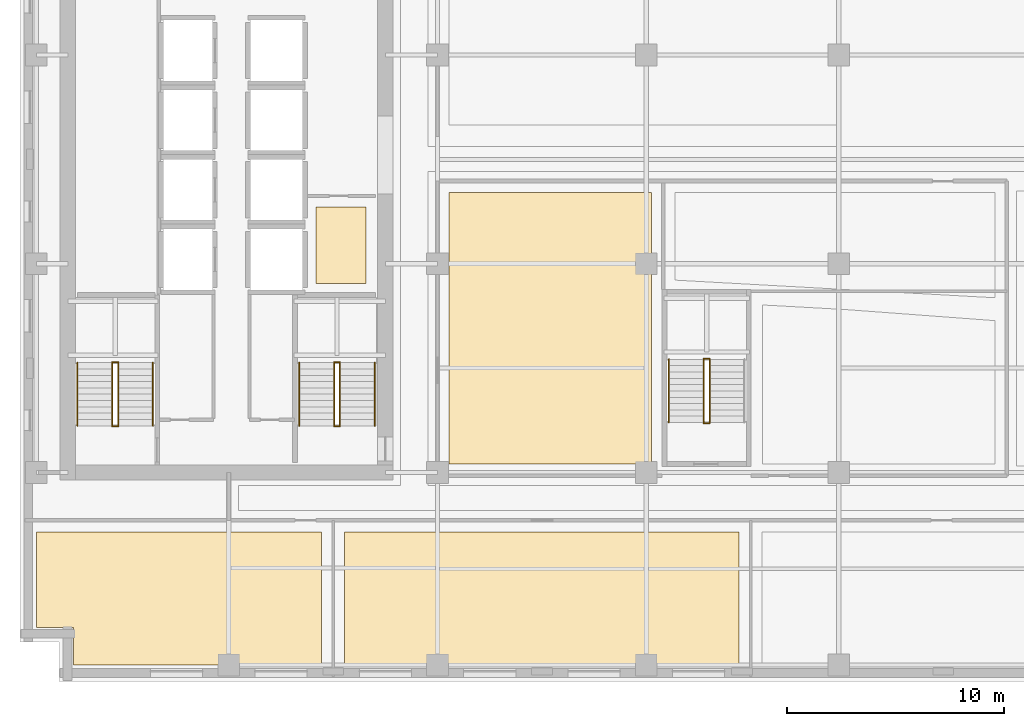
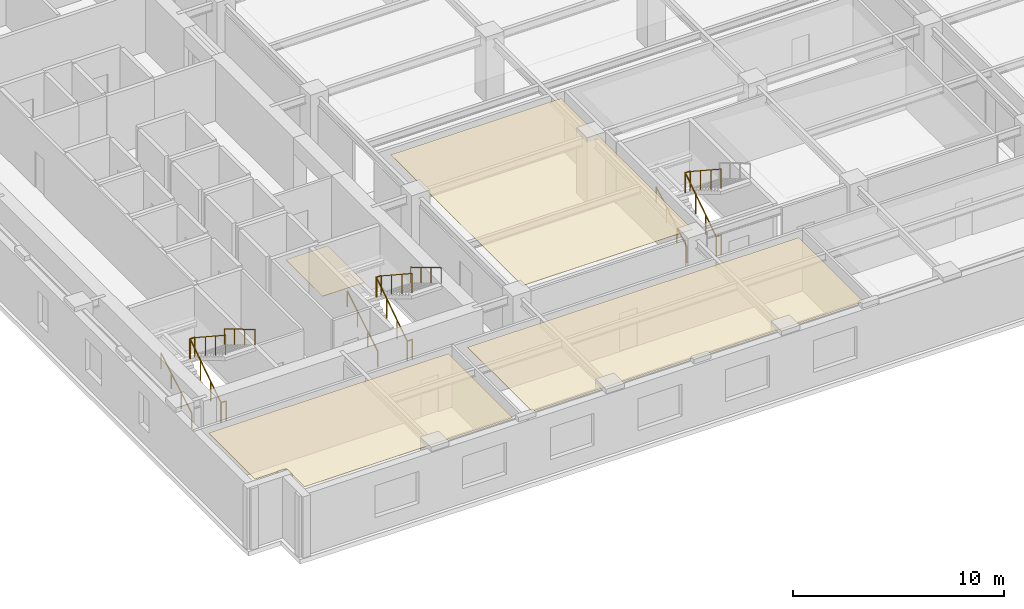
# One storey, part 8 of 12: 17 railings, 4 coverings.
"""IFC4 building model written with IfcOpenShell, lengths in metres."""

from ifc_helpers import new_model, si_unit, direction, frame, origin, origin_2d, place, context, subcontext, project, spatial, polyline, circle, outline, extrude, material, layer, layer_set, type_object, element, save


model = new_model("IFC4")

# Units and contexts
model_context = context("Model", 3, precision=1e-05, world=origin(), true_north=direction((0.0, 1.0)))
body_context = subcontext(model_context, "Body", "Model", "MODEL_VIEW")
ifc_project = project(units=[si_unit("LENGTHUNIT", "METRE"), si_unit("AREAUNIT", "SQUARE_METRE"), si_unit("VOLUMEUNIT", "CUBIC_METRE"), si_unit("PLANEANGLEUNIT", "RADIAN"), si_unit("MASSUNIT", "GRAM", prefix="KILO")], contexts=[model_context])

# Site, building, storey
site_placement = place(None, origin())
site = spatial("IfcSite", under=ifc_project, at=site_placement, CompositionType="ELEMENT")
building_placement = place(site_placement, origin())
building = spatial("IfcBuilding", under=site, at=building_placement, Name="Norrvale University Quadrangle", CompositionType="ELEMENT")
storey_placement = place(building_placement, frame((0.0, 0.0, 143.199951171875)))
storey = spatial("IfcBuildingStorey", under=building, at=storey_placement, Name="L36", CompositionType="ELEMENT", Elevation=143.199951171875)

# Coverings
ifc_material_1 = material(Name="Perforated Acoustic Mineral Ceiling")
ifc_layer_1 = layer(ifc_material_1, 0.02490234375, Name="Perforated Acoustic Mineral Ceiling")
ifc_layer_set_1 = layer_set([ifc_layer_1], Name="Perforated Acoustic Mineral Ceiling")
covering_type_1 = type_object("IfcCoveringType", Name="Covering Acoustic Ceiling 25", PredefinedType="CEILING", material=ifc_layer_set_1)
covering_1_placement = place(storey_placement, frame((0.0, 0.0, 3.51513671875)))
element("IfcCovering", 1, at=covering_1_placement, inside=storey, type_object=covering_type_1, Name="Acoustic Ceiling RM-L36-S01", PredefinedType="CEILING", context=body_context, shape_type="SweptSolid", body=[
    extrude(outline(polyline([(0.75, 6.8701171875), (13.8701171875, 6.8701171875), (13.8701171875, 0.75), (2.469970703125, 0.75), (2.469970703125, 2.469970703125), (0.75, 2.469970703125), (0.75, 6.8701171875)])), origin(), (0.0, 0.0, 1.0), 0.02490234375),
])
covering_2_placement = place(storey_placement, frame((0.0, 0.0, 3.51513671875)))
element("IfcCovering", 2, at=covering_2_placement, inside=storey, type_object=covering_type_1, Name="Acoustic Ceiling RM-L36-S02", PredefinedType="CEILING", context=body_context, shape_type="SweptSolid", body=[
    extrude(outline(polyline([(14.929931640625, 6.8701171875), (33.070068359375, 6.8701171875), (33.070068359375, 0.75), (14.929931640625, 0.75), (14.929931640625, 6.8701171875)])), origin(), (0.0, 0.0, 1.0), 0.02490234375),
])
covering_3_placement = place(storey_placement, frame((0.0, 0.0, 3.51513671875)))
element("IfcCovering", 3, at=covering_3_placement, inside=storey, type_object=covering_type_1, Name="Acoustic Ceiling RM-L36-IW1", PredefinedType="CEILING", context=body_context, shape_type="SweptSolid", body=[
    extrude(outline(polyline([(19.72998046875, 9.97998046875), (19.72998046875, 22.469970703125), (29.050048828125, 22.469970703125), (29.050048828125, 9.97998046875), (19.72998046875, 9.97998046875)])), origin(), (0.0, 0.0, 1.0), 0.02490234375),
])
ifc_material_2 = material(Name="Polished Terrazzo Flooring")
ifc_layer_2 = layer(ifc_material_2, 0.02490234375, Name="Polished Terrazzo Flooring")
ifc_layer_set_2 = layer_set([ifc_layer_2], Name="Polished Terrazzo Flooring")
covering_type_2 = type_object("IfcCoveringType", Name="Covering Terrazzo Floor 30", PredefinedType="FLOORING", material=ifc_layer_set_2)
covering_4_placement = place(storey_placement, origin())
element("IfcCovering", 4, at=covering_4_placement, inside=storey, type_object=covering_type_2, Name="Terrazzo Flooring RM-L36-JAN", PredefinedType="FLOORING", context=body_context, shape_type="SweptSolid", body=[
    extrude(outline(polyline([(13.60009765625, 18.300048828125), (13.60009765625, 21.800048828125), (15.89990234375, 21.800048828125), (15.89990234375, 18.300048828125), (13.60009765625, 18.300048828125)])), origin(), (0.0, 0.0, 1.0), 0.025146484375),
])

# Railings
ifc_material_3 = material(Name="Steel 350W Painted Balustrade", Category="steel")
railing_type_1 = type_object("IfcRailingType", Name="Railing Stair Guard 1100", PredefinedType="GUARDRAIL", material=ifc_material_3)
for number, where, name in (
    (5, (4.239990234375, 11.719970703125, 0.0), "Stair Floor Well Guard ST-01 L36"),
    (6, (4.239990234375, 14.679931640625, 1.900146484375), "Stair Mid-Landing Slot Guard ST-01 L36"),
):
    element("IfcRailing", number, at=place(storey_placement, frame(where)), inside=storey, type_object=railing_type_1, Name=name, PredefinedType="GUARDRAIL", context=body_context, shape_type="SweptSolid", body=[
        extrude(circle(Radius=0.02392578125, at=origin_2d()), frame((0.0, 0.0, 1.1259765625), z_axis=(1.0, 0.0, 0.0), x_axis=(0.0, 1.0, 0.0)), (0.0, 0.0, 1.0), 0.27001953125),
        extrude(circle(Radius=0.02099609375, at=origin_2d()), origin(), (0.0, 0.0, 1.0), 1.101806640625),
        extrude(circle(Radius=0.02099609375, at=origin_2d()), frame((0.27001953125, 0.0, 0.0)), (0.0, 0.0, 1.0), 1.101806640625),
    ])
railing_1_placement = place(storey_placement, frame((4.239990234375, 11.75, 0.0)))
element("IfcRailing", 7, at=railing_1_placement, inside=storey, type_object=railing_type_1, Name="Stair Lower Flight Inner Guard ST-01 L36", PredefinedType="GUARDRAIL", context=body_context, shape_type="SweptSolid", body=[
    extrude(circle(Radius=0.02392578125, at=origin_2d()), frame((0.0, 0.0, 1.1259765625), z_axis=(0.0, 0.836433300813, 0.548068730445), x_axis=(-1.0, 0.0, 0.0)), (0.0, 0.0, 1.0), 3.467041015625),
    extrude(circle(Radius=0.02099609375, at=origin_2d()), origin(), (0.0, 0.0, 1.0), 1.101806640625),
    extrude(circle(Radius=0.02099609375, at=origin_2d()), frame((0.0, 0.966552734375, 0.63330078125)), (0.0, 0.0, 1.0), 1.101806640625),
    extrude(circle(Radius=0.02099609375, at=origin_2d()), frame((0.0, 1.933349609375, 1.266845703125)), (0.0, 0.0, 1.0), 1.101806640625),
    extrude(circle(Radius=0.02099609375, at=origin_2d()), frame((0.0, 2.89990234375, 1.900146484375)), (0.0, 0.0, 1.0), 1.101806640625),
])
railing_2_placement = place(storey_placement, frame((4.510009765625, 14.64990234375, 1.900146484375)))
element("IfcRailing", 8, at=railing_2_placement, inside=storey, type_object=railing_type_1, Name="Stair Upper Flight Inner Guard ST-01 L36", PredefinedType="GUARDRAIL", context=body_context, shape_type="SweptSolid", body=[
    extrude(circle(Radius=0.02392578125, at=origin_2d()), frame((0.0, 0.0, 1.1259765625), z_axis=(0.0, -0.836465582154, 0.548019461216), x_axis=(1.0, 0.0, 0.0)), (0.0, 0.0, 1.0), 3.466796875),
    extrude(circle(Radius=0.02099609375, at=origin_2d()), origin(), (0.0, 0.0, 1.0), 1.101806640625),
    extrude(circle(Radius=0.02099609375, at=origin_2d()), frame((0.0, -0.966552734375, 0.63330078125)), (0.0, 0.0, 1.0), 1.101806640625),
    extrude(circle(Radius=0.02099609375, at=origin_2d()), frame((0.0, -1.933349609375, 1.2666015625)), (0.0, 0.0, 1.0), 1.101806640625),
    extrude(circle(Radius=0.02099609375, at=origin_2d()), frame((0.0, -2.89990234375, 1.89990234375)), (0.0, 0.0, 1.0), 1.101806640625),
])
for number, where, name in (
    (9, (14.43994140625, 11.719970703125, 0.0), "Stair Floor Well Guard ST-03 L36"),
    (10, (14.43994140625, 14.679931640625, 1.900146484375), "Stair Mid-Landing Slot Guard ST-03 L36"),
):
    element("IfcRailing", number, at=place(storey_placement, frame(where)), inside=storey, type_object=railing_type_1, Name=name, PredefinedType="GUARDRAIL", context=body_context, shape_type="SweptSolid", body=[
        extrude(circle(Radius=0.02392578125, at=origin_2d()), frame((0.0, 0.0, 1.1259765625), z_axis=(1.0, 0.0, 0.0), x_axis=(0.0, 1.0, 0.0)), (0.0, 0.0, 1.0), 0.27001953125),
        extrude(circle(Radius=0.02099609375, at=origin_2d()), origin(), (0.0, 0.0, 1.0), 1.101806640625),
        extrude(circle(Radius=0.02099609375, at=origin_2d()), frame((0.27001953125, 0.0, 0.0)), (0.0, 0.0, 1.0), 1.101806640625),
    ])
railing_3_placement = place(storey_placement, frame((14.43994140625, 11.75, 0.0)))
element("IfcRailing", 11, at=railing_3_placement, inside=storey, type_object=railing_type_1, Name="Stair Lower Flight Inner Guard ST-03 L36", PredefinedType="GUARDRAIL", context=body_context, shape_type="SweptSolid", body=[
    extrude(circle(Radius=0.02392578125, at=origin_2d()), frame((0.0, 0.0, 1.1259765625), z_axis=(0.0, 0.836433300813, 0.548068730445), x_axis=(-1.0, 0.0, 0.0)), (0.0, 0.0, 1.0), 3.467041015625),
    extrude(circle(Radius=0.02099609375, at=origin_2d()), origin(), (0.0, 0.0, 1.0), 1.101806640625),
    extrude(circle(Radius=0.02099609375, at=origin_2d()), frame((0.0, 0.966552734375, 0.63330078125)), (0.0, 0.0, 1.0), 1.101806640625),
    extrude(circle(Radius=0.02099609375, at=origin_2d()), frame((0.0, 1.933349609375, 1.266845703125)), (0.0, 0.0, 1.0), 1.101806640625),
    extrude(circle(Radius=0.02099609375, at=origin_2d()), frame((0.0, 2.89990234375, 1.900146484375)), (0.0, 0.0, 1.0), 1.101806640625),
])
railing_4_placement = place(storey_placement, frame((14.7099609375, 14.64990234375, 1.900146484375)))
element("IfcRailing", 12, at=railing_4_placement, inside=storey, type_object=railing_type_1, Name="Stair Upper Flight Inner Guard ST-03 L36", PredefinedType="GUARDRAIL", context=body_context, shape_type="SweptSolid", body=[
    extrude(circle(Radius=0.02392578125, at=origin_2d()), frame((0.0, 0.0, 1.1259765625), z_axis=(0.0, -0.836465582154, 0.548019461216), x_axis=(1.0, 0.0, 0.0)), (0.0, 0.0, 1.0), 3.466796875),
    extrude(circle(Radius=0.02099609375, at=origin_2d()), origin(), (0.0, 0.0, 1.0), 1.101806640625),
    extrude(circle(Radius=0.02099609375, at=origin_2d()), frame((0.0, -0.966552734375, 0.63330078125)), (0.0, 0.0, 1.0), 1.101806640625),
    extrude(circle(Radius=0.02099609375, at=origin_2d()), frame((0.0, -1.933349609375, 1.2666015625)), (0.0, 0.0, 1.0), 1.101806640625),
    extrude(circle(Radius=0.02099609375, at=origin_2d()), frame((0.0, -2.89990234375, 1.89990234375)), (0.0, 0.0, 1.0), 1.101806640625),
])
for number, where, name in (
    (13, (31.43994140625, 11.8701171875, 0.0), "Stair Floor Well Guard ST-04 L36"),
    (14, (31.43994140625, 14.830078125, 1.900146484375), "Stair Mid-Landing Slot Guard ST-04 L36"),
):
    element("IfcRailing", number, at=place(storey_placement, frame(where)), inside=storey, type_object=railing_type_1, Name=name, PredefinedType="GUARDRAIL", context=body_context, shape_type="SweptSolid", body=[
        extrude(circle(Radius=0.02392578125, at=origin_2d()), frame((0.0, 0.0, 1.1259765625), z_axis=(1.0, 0.0, 0.0), x_axis=(0.0, 1.0, 0.0)), (0.0, 0.0, 1.0), 0.27001953125),
        extrude(circle(Radius=0.02099609375, at=origin_2d()), origin(), (0.0, 0.0, 1.0), 1.101806640625),
        extrude(circle(Radius=0.02099609375, at=origin_2d()), frame((0.27001953125, 0.0, 0.0)), (0.0, 0.0, 1.0), 1.101806640625),
    ])
railing_5_placement = place(storey_placement, frame((31.43994140625, 11.89990234375, 0.0)))
element("IfcRailing", 15, at=railing_5_placement, inside=storey, type_object=railing_type_1, Name="Stair Lower Flight Inner Guard ST-04 L36", PredefinedType="GUARDRAIL", context=body_context, shape_type="SweptSolid", body=[
    extrude(circle(Radius=0.02392578125, at=origin_2d()), frame((0.0, 0.0, 1.1259765625), z_axis=(0.0, 0.836454451266, 0.548036450392), x_axis=(-1.0, 0.0, 0.0)), (0.0, 0.0, 1.0), 3.46728515625),
    extrude(circle(Radius=0.02099609375, at=origin_2d()), origin(), (0.0, 0.0, 1.0), 1.101806640625),
    extrude(circle(Radius=0.02099609375, at=origin_2d()), frame((0.0, 0.966796875, 0.63330078125)), (0.0, 0.0, 1.0), 1.101806640625),
    extrude(circle(Radius=0.02099609375, at=origin_2d()), frame((0.0, 1.933349609375, 1.266845703125)), (0.0, 0.0, 1.0), 1.101806640625),
    extrude(circle(Radius=0.02099609375, at=origin_2d()), frame((0.0, 2.900146484375, 1.900146484375)), (0.0, 0.0, 1.0), 1.101806640625),
])
railing_6_placement = place(storey_placement, frame((31.7099609375, 14.800048828125, 1.900146484375)))
element("IfcRailing", 16, at=railing_6_placement, inside=storey, type_object=railing_type_1, Name="Stair Upper Flight Inner Guard ST-04 L36", PredefinedType="GUARDRAIL", context=body_context, shape_type="SweptSolid", body=[
    extrude(circle(Radius=0.02392578125, at=origin_2d()), frame((0.0, 0.0, 1.1259765625), z_axis=(0.0, -0.836486729621, 0.547987181573), x_axis=(1.0, 0.0, 0.0)), (0.0, 0.0, 1.0), 3.467041015625),
    extrude(circle(Radius=0.02099609375, at=origin_2d()), origin(), (0.0, 0.0, 1.0), 1.101806640625),
    extrude(circle(Radius=0.02099609375, at=origin_2d()), frame((0.0, -0.966796875, 0.63330078125)), (0.0, 0.0, 1.0), 1.101806640625),
    extrude(circle(Radius=0.02099609375, at=origin_2d()), frame((0.0, -1.933349609375, 1.2666015625)), (0.0, 0.0, 1.0), 1.101806640625),
    extrude(circle(Radius=0.02099609375, at=origin_2d()), frame((0.0, -2.900146484375, 1.89990234375)), (0.0, 0.0, 1.0), 1.101806640625),
])
ifc_material_4 = material(Name="Stainless Steel 316L Handrail", Category="steel")
railing_type_2 = type_object("IfcRailingType", Name="Railing Stair Handrail 920", PredefinedType="HANDRAIL", material=ifc_material_4)
railing_7_placement = place(storey_placement, frame((2.639892578125, 11.75, 0.1728515625)))
element("IfcRailing", 17, at=railing_7_placement, inside=storey, type_object=railing_type_2, Name="Stair Lower Flight Handrail ST-01 L36", PredefinedType="HANDRAIL", context=body_context, shape_type="SweptSolid", body=[
    extrude(circle(Radius=0.02392578125, at=origin_2d()), frame((0.0, 0.0, 0.89599609375), z_axis=(0.0, 0.859141464434, 0.511738159696), x_axis=(-1.0, 0.0, 0.0)), (0.0, 0.0, 1.0), 3.375244140625),
    extrude(circle(Radius=0.02099609375, at=origin_2d()), origin(), (0.0, 0.0, 1.0), 0.871826171875),
    extrude(circle(Radius=0.02099609375, at=origin_2d()), frame((0.0, 0.966552734375, 0.57568359375)), (0.0, 0.0, 1.0), 0.871826171875),
    extrude(circle(Radius=0.02099609375, at=origin_2d()), frame((0.0, 1.933349609375, 1.151611328125)), (0.0, 0.0, 1.0), 0.871826171875),
    extrude(circle(Radius=0.02099609375, at=origin_2d()), frame((0.0, 2.89990234375, 1.727294921875)), (0.0, 0.0, 1.0), 0.871826171875),
])
railing_8_placement = place(storey_placement, frame((6.110107421875, 14.64990234375, 2.07275390625)))
element("IfcRailing", 18, at=railing_8_placement, inside=storey, type_object=railing_type_2, Name="Stair Upper Flight Handrail ST-01 L36", PredefinedType="HANDRAIL", context=body_context, shape_type="SweptSolid", body=[
    extrude(circle(Radius=0.02392578125, at=origin_2d()), frame((0.0, 0.0, 0.89599609375), z_axis=(0.0, -0.859141464434, 0.511738159696), x_axis=(1.0, 0.0, 0.0)), (0.0, 0.0, 1.0), 3.375244140625),
    extrude(circle(Radius=0.02099609375, at=origin_2d()), origin(), (0.0, 0.0, 1.0), 0.871826171875),
    extrude(circle(Radius=0.02099609375, at=origin_2d()), frame((0.0, -0.966552734375, 0.57568359375)), (0.0, 0.0, 1.0), 0.871826171875),
    extrude(circle(Radius=0.02099609375, at=origin_2d()), frame((0.0, -1.933349609375, 1.151611328125)), (0.0, 0.0, 1.0), 0.871826171875),
    extrude(circle(Radius=0.02099609375, at=origin_2d()), frame((0.0, -2.89990234375, 1.727294921875)), (0.0, 0.0, 1.0), 0.871826171875),
])
railing_9_placement = place(storey_placement, frame((12.840087890625, 11.75, 0.1728515625)))
element("IfcRailing", 19, at=railing_9_placement, inside=storey, type_object=railing_type_2, Name="Stair Lower Flight Handrail ST-03 L36", PredefinedType="HANDRAIL", context=body_context, shape_type="SweptSolid", body=[
    extrude(circle(Radius=0.02392578125, at=origin_2d()), frame((0.0, 0.0, 0.89599609375), z_axis=(0.0, 0.859141464434, 0.511738159696), x_axis=(-1.0, 0.0, 0.0)), (0.0, 0.0, 1.0), 3.375244140625),
    extrude(circle(Radius=0.02099609375, at=origin_2d()), origin(), (0.0, 0.0, 1.0), 0.871826171875),
    extrude(circle(Radius=0.02099609375, at=origin_2d()), frame((0.0, 0.966552734375, 0.57568359375)), (0.0, 0.0, 1.0), 0.871826171875),
    extrude(circle(Radius=0.02099609375, at=origin_2d()), frame((0.0, 1.933349609375, 1.151611328125)), (0.0, 0.0, 1.0), 0.871826171875),
    extrude(circle(Radius=0.02099609375, at=origin_2d()), frame((0.0, 2.89990234375, 1.727294921875)), (0.0, 0.0, 1.0), 0.871826171875),
])
railing_10_placement = place(storey_placement, frame((16.31005859375, 14.64990234375, 2.07275390625)))
element("IfcRailing", 20, at=railing_10_placement, inside=storey, type_object=railing_type_2, Name="Stair Upper Flight Handrail ST-03 L36", PredefinedType="HANDRAIL", context=body_context, shape_type="SweptSolid", body=[
    extrude(circle(Radius=0.02392578125, at=origin_2d()), frame((0.0, 0.0, 0.89599609375), z_axis=(0.0, -0.859141464434, 0.511738159696), x_axis=(1.0, 0.0, 0.0)), (0.0, 0.0, 1.0), 3.375244140625),
    extrude(circle(Radius=0.02099609375, at=origin_2d()), origin(), (0.0, 0.0, 1.0), 0.871826171875),
    extrude(circle(Radius=0.02099609375, at=origin_2d()), frame((0.0, -0.966552734375, 0.57568359375)), (0.0, 0.0, 1.0), 0.871826171875),
    extrude(circle(Radius=0.02099609375, at=origin_2d()), frame((0.0, -1.933349609375, 1.151611328125)), (0.0, 0.0, 1.0), 0.871826171875),
    extrude(circle(Radius=0.02099609375, at=origin_2d()), frame((0.0, -2.89990234375, 1.727294921875)), (0.0, 0.0, 1.0), 0.871826171875),
])
railing_11_placement = place(storey_placement, frame((29.840087890625, 11.89990234375, 0.1728515625)))
element("IfcRailing", 21, at=railing_11_placement, inside=storey, type_object=railing_type_2, Name="Stair Lower Flight Handrail ST-04 L36", PredefinedType="HANDRAIL", context=body_context, shape_type="SweptSolid", body=[
    extrude(circle(Radius=0.02392578125, at=origin_2d()), frame((0.0, 0.0, 0.89599609375), z_axis=(0.0, 0.859160404282, 0.51170636083), x_axis=(-1.0, 0.0, 0.0)), (0.0, 0.0, 1.0), 3.37548828125),
    extrude(circle(Radius=0.02099609375, at=origin_2d()), origin(), (0.0, 0.0, 1.0), 0.871826171875),
    extrude(circle(Radius=0.02099609375, at=origin_2d()), frame((0.0, 0.966796875, 0.57568359375)), (0.0, 0.0, 1.0), 0.871826171875),
    extrude(circle(Radius=0.02099609375, at=origin_2d()), frame((0.0, 1.933349609375, 1.151611328125)), (0.0, 0.0, 1.0), 0.871826171875),
    extrude(circle(Radius=0.02099609375, at=origin_2d()), frame((0.0, 2.900146484375, 1.727294921875)), (0.0, 0.0, 1.0), 0.871826171875),
])

save(model, "model.ifc")
